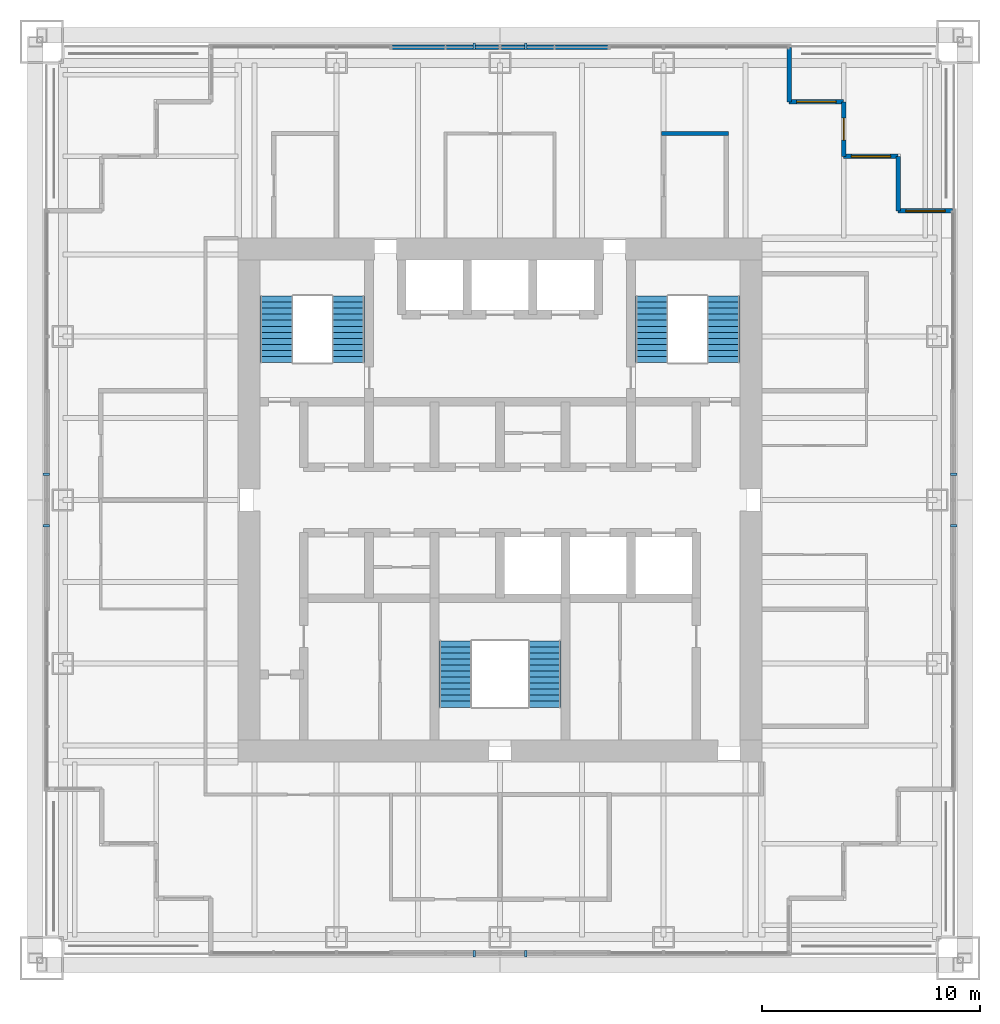
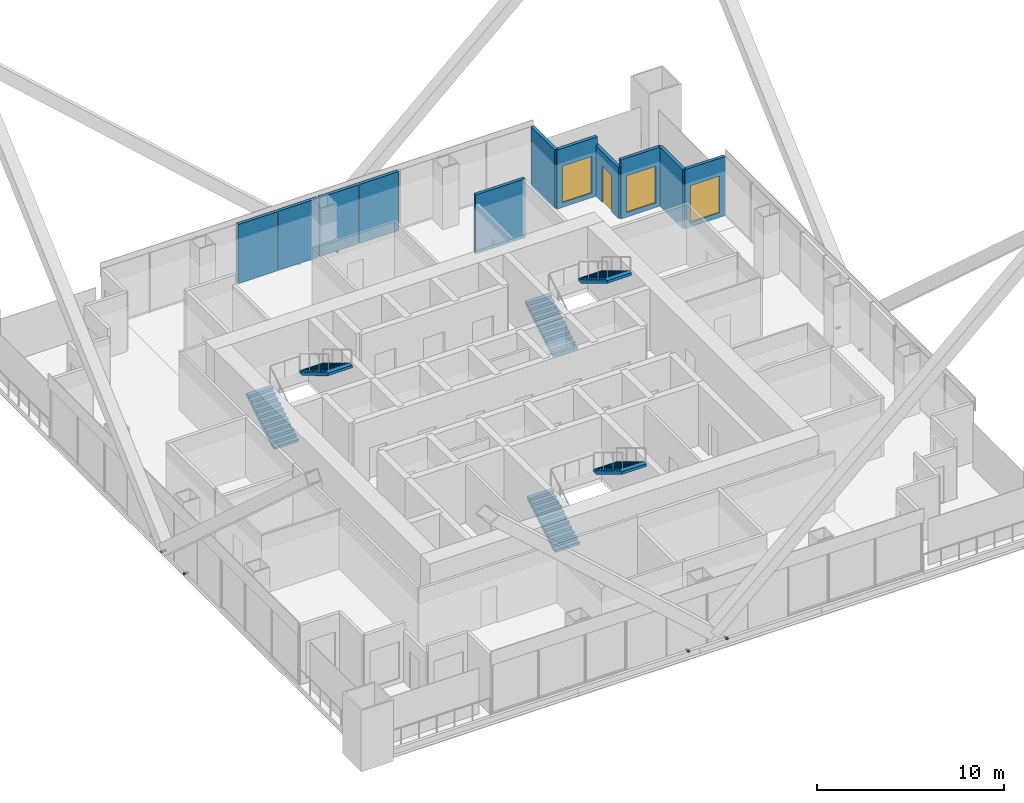
# One storey, part 15 of 17: 11 walls, 8 discrete accessories, 6 stair flights, 3 windows, 1 door, 4 openings, 3 elements without a shape of their own.
"""IFC4 building model written with IfcOpenShell, lengths in metres."""

from ifc_helpers import new_model, si_unit, direction, frame, frame_2d, origin, origin_2d, place, context, subcontext, project, spatial, polyline, rectangle, outline, extrude, material, layer, layer_set, type_object, element, fill, aggregate, save


model = new_model("IFC4")

# Units and contexts
model_context = context("Model", 3, precision=1e-05, world=origin(), true_north=direction((0.0, 1.0)))
body_context = subcontext(model_context, "Body", "Model", "MODEL_VIEW")
ifc_project = project(units=[si_unit("LENGTHUNIT", "METRE"), si_unit("AREAUNIT", "SQUARE_METRE"), si_unit("VOLUMEUNIT", "CUBIC_METRE"), si_unit("PLANEANGLEUNIT", "RADIAN"), si_unit("MASSUNIT", "GRAM", prefix="KILO")], contexts=[model_context])

# Site, building, storey
site_placement = place(None, origin())
site = spatial("IfcSite", under=ifc_project, at=site_placement, CompositionType="ELEMENT")
building_placement = place(site_placement, origin())
building = spatial("IfcBuilding", under=site, at=building_placement, Name="Tarangal Relay Tower", CompositionType="ELEMENT")
storey_placement = place(building_placement, frame((0.0, 0.0, 315.89990234375)))
storey = spatial("IfcBuildingStorey", under=building, at=storey_placement, Name="L70", CompositionType="ELEMENT", Elevation=315.89990234375)

# Walls
ifc_material_1 = material(Name="Two layers gypsum board each side on twin steel studs, mineral wool", Category="steel")
ifc_layer_1 = layer(ifc_material_1, 0.199951171875)
ifc_layer_set_1 = layer_set([ifc_layer_1], Name="Acoustic partition 200")
wall_type_1 = type_object("IfcWallType", Name="Acoustic partition 200", PredefinedType="PARTITIONING", material=ifc_layer_set_1)
wall_1_placement = place(storey_placement, frame((7.39990234375, 16.800048828125, 0.0), z_axis=(0.0, 0.0, 1.0), x_axis=(1.0, 0.0, 0.0)))
element("IfcWall", 1, at=wall_1_placement, inside=storey, type_object=wall_type_1, Name="Partition PT2 L70", PredefinedType="PARTITIONING", context=body_context, shape_type="SweptSolid", body=[
    extrude(rectangle(XDim=3.0751953125, YDim=0.199951171875, at=frame_2d((1.53759765625, 0.0))), origin(), (0.0, 0.0, 1.0), 3.85009765625),
])
ifc_material_2 = material(Name="Black metal clad insulated wall", Category="steel")
ifc_layer_2 = layer(ifc_material_2, 0.199951171875)
ifc_layer_set_2 = layer_set([ifc_layer_2], Name="Corner wall metal clad 200")
wall_type_2 = type_object("IfcWallType", Name="Corner wall metal clad 200", PredefinedType="SOLIDWALL", material=ifc_layer_set_2)
wall_2_placement = place(storey_placement, frame((13.25, 20.75, 0.0), z_axis=(0.0, 0.0, 1.0), x_axis=(0.0, -1.0, 0.0)))
element("IfcWall", 2, at=wall_2_placement, inside=storey, type_object=wall_type_2, Name="Facade wall N facade L70", PredefinedType="SOLIDWALL", context=body_context, shape_type="SweptSolid", body=[
    extrude(rectangle(XDim=2.5, YDim=0.199951171875, at=frame_2d((1.25, 0.0))), origin(), (0.0, 0.0, 1.0), 3.85009765625),
])

# Wall, opening, window
wall_3_placement = place(storey_placement, frame((13.25, 18.25, 0.0), z_axis=(0.0, 0.0, 1.0), x_axis=(1.0, 0.0, 0.0)))
wall_3 = element("IfcWall", 3, at=wall_3_placement, inside=storey, type_object=wall_type_2, Name="Facade wall N facade L70", PredefinedType="SOLIDWALL", context=body_context, shape_type="SweptSolid", body=[
    extrude(rectangle(XDim=2.5, YDim=0.199951171875, at=frame_2d((1.25, 0.0))), origin(), (0.0, 0.0, 1.0), 3.85009765625),
])
opening_1_placement = place(wall_3_placement, frame((0.35009765625, 0.0, 0.300048828125)))
opening_1 = element("IfcOpeningElement", 4, at=opening_1_placement, cuts=wall_3, Name="Opening WN2", PredefinedType="OPENING", context=body_context, shape_type="SweptSolid", body=[
    extrude(rectangle(XDim=1.800048828125, YDim=2.39990234375, at=frame_2d((0.89990234375, 1.199951171875))), frame((0.0, 0.10986328125, 0.0), z_axis=(0.0, -1.0, 0.0), x_axis=(1.0, 0.0, 0.0)), (0.0, 0.0, 1.0), 0.219970703125),
])
ifc_material_3 = material(Name="Dark tinted double glazing in black aluminium frame", Category="aluminium")
window_type = type_object("IfcWindowType", Name="Corner window 1800 x 2400", PartitioningType="SINGLE_PANEL", PredefinedType="WINDOW", material=ifc_material_3)
window_1_placement = place(opening_1_placement, origin())
window_1 = element("IfcWindow", 5, at=window_1_placement, inside=storey, type_object=window_type, Name="Corner window WN2 N facade L70", OverallHeight=2.39990234375, OverallWidth=1.800048828125, PartitioningType="SINGLE_PANEL", PredefinedType="WINDOW", context=body_context, shape_type="SweptSolid", body=[
    extrude(rectangle(XDim=1.800048828125, YDim=2.39990234375, at=frame_2d((0.89990234375, 1.199951171875))), frame((0.0, 0.030029296875, 0.0), z_axis=(0.0, -1.0, 0.0), x_axis=(1.0, 0.0, 0.0)), (0.0, 0.0, 1.0), 0.06005859375),
])
fill(opening_1, window_1)

# Wall, opening, door
wall_4_placement = place(storey_placement, frame((15.75, 18.25, 0.0), z_axis=(0.0, 0.0, 1.0), x_axis=(0.0, -1.0, 0.0)))
wall_4 = element("IfcWall", 6, at=wall_4_placement, inside=storey, type_object=wall_type_2, Name="Facade wall N facade L70", PredefinedType="SOLIDWALL", context=body_context, shape_type="SweptSolid", body=[
    extrude(rectangle(XDim=2.5, YDim=0.199951171875, at=frame_2d((1.25, 0.0))), origin(), (0.0, 0.0, 1.0), 3.316650390625),
])
opening_2_placement = place(wall_4_placement, frame((0.75, 0.0, 0.0)))
opening_2 = element("IfcOpeningElement", 7, at=opening_2_placement, cuts=wall_4, Name="Opening TD1", PredefinedType="OPENING", context=body_context, shape_type="SweptSolid", body=[
    extrude(rectangle(XDim=1.0, YDim=2.39990234375, at=frame_2d((0.5, 1.199951171875))), frame((0.0, 0.10986328125, 0.0), z_axis=(0.0, -1.0, 0.0), x_axis=(1.0, 0.0, 0.0)), (0.0, 0.0, 1.0), 0.219970703125),
])
ifc_material_4 = material(Name="Aluminium glazed door", Category="aluminium")
door_type = type_object("IfcDoorType", Name="Terrace door 1000 x 2400", OperationType="SINGLE_SWING_RIGHT", PredefinedType="DOOR", material=ifc_material_4)
door_placement = place(opening_2_placement, origin())
door = element("IfcDoor", 8, at=door_placement, inside=storey, type_object=door_type, Name="Terrace door TD1 NE L70", OperationType="SINGLE_SWING_RIGHT", OverallHeight=2.39990234375, OverallWidth=1.0, PredefinedType="DOOR", context=body_context, shape_type="SweptSolid", body=[
    extrude(rectangle(XDim=1.0, YDim=2.39990234375, at=frame_2d((0.5, 1.199951171875))), frame((0.0, 0.02490234375, 0.0), z_axis=(0.0, -1.0, 0.0), x_axis=(1.0, 0.0, 0.0)), (0.0, 0.0, 1.0), 0.050048828125),
])
fill(opening_2, door)

# Wall, opening, window
wall_5_placement = place(storey_placement, frame((15.75, 15.75, 0.0), z_axis=(0.0, 0.0, 1.0), x_axis=(1.0, 0.0, 0.0)))
wall_5 = element("IfcWall", 9, at=wall_5_placement, inside=storey, type_object=wall_type_2, Name="Facade wall N facade L70", PredefinedType="SOLIDWALL", context=body_context, shape_type="SweptSolid", body=[
    extrude(rectangle(XDim=2.5, YDim=0.199951171875, at=frame_2d((1.25, 0.0))), origin(), (0.0, 0.0, 1.0), 3.85009765625),
])
opening_3_placement = place(wall_5_placement, frame((0.35009765625, 0.0, 0.300048828125)))
opening_3 = element("IfcOpeningElement", 10, at=opening_3_placement, cuts=wall_5, Name="Opening WN2", PredefinedType="OPENING", context=body_context, shape_type="SweptSolid", body=[
    extrude(rectangle(XDim=1.800048828125, YDim=2.39990234375, at=frame_2d((0.89990234375, 1.199951171875))), frame((0.0, 0.10986328125, 0.0), z_axis=(0.0, -1.0, 0.0), x_axis=(1.0, 0.0, 0.0)), (0.0, 0.0, 1.0), 0.219970703125),
])
window_2_placement = place(opening_3_placement, origin())
window_2 = element("IfcWindow", 11, at=window_2_placement, inside=storey, type_object=window_type, Name="Corner window WN2 N facade L70", OverallHeight=2.39990234375, OverallWidth=1.800048828125, PartitioningType="SINGLE_PANEL", PredefinedType="WINDOW", context=body_context, shape_type="SweptSolid", body=[
    extrude(rectangle(XDim=1.800048828125, YDim=2.39990234375, at=frame_2d((0.89990234375, 1.199951171875))), frame((0.0, 0.030029296875, 0.0), z_axis=(0.0, -1.0, 0.0), x_axis=(1.0, 0.0, 0.0)), (0.0, 0.0, 1.0), 0.06005859375),
])
fill(opening_3, window_2)

# Wall
wall_6_placement = place(storey_placement, frame((18.25, 15.75, 0.0), z_axis=(0.0, 0.0, 1.0), x_axis=(0.0, -1.0, 0.0)))
element("IfcWall", 12, at=wall_6_placement, inside=storey, type_object=wall_type_2, Name="Facade wall N facade L70", PredefinedType="SOLIDWALL", context=body_context, shape_type="SweptSolid", body=[
    extrude(rectangle(XDim=2.5, YDim=0.199951171875, at=frame_2d((1.25, 0.0))), origin(), (0.0, 0.0, 1.0), 3.85009765625),
])

# Wall, opening, window
wall_7_placement = place(storey_placement, frame((18.25, 13.25, 0.0), z_axis=(0.0, 0.0, 1.0), x_axis=(1.0, 0.0, 0.0)))
wall_7 = element("IfcWall", 13, at=wall_7_placement, inside=storey, type_object=wall_type_2, Name="Facade wall N facade L70", PredefinedType="SOLIDWALL", context=body_context, shape_type="SweptSolid", body=[
    extrude(rectangle(XDim=2.5, YDim=0.199951171875, at=frame_2d((1.25, 0.0))), origin(), (0.0, 0.0, 1.0), 3.85009765625),
])
opening_4_placement = place(wall_7_placement, frame((0.35009765625, 0.0, 0.300048828125)))
opening_4 = element("IfcOpeningElement", 14, at=opening_4_placement, cuts=wall_7, Name="Opening WN2", PredefinedType="OPENING", context=body_context, shape_type="SweptSolid", body=[
    extrude(rectangle(XDim=1.800048828125, YDim=2.39990234375, at=frame_2d((0.89990234375, 1.199951171875))), frame((0.0, 0.10986328125, 0.0), z_axis=(0.0, -1.0, 0.0), x_axis=(1.0, 0.0, 0.0)), (0.0, 0.0, 1.0), 0.219970703125),
])
window_3_placement = place(opening_4_placement, origin())
window_3 = element("IfcWindow", 15, at=window_3_placement, inside=storey, type_object=window_type, Name="Corner window WN2 N facade L70", OverallHeight=2.39990234375, OverallWidth=1.800048828125, PartitioningType="SINGLE_PANEL", PredefinedType="WINDOW", context=body_context, shape_type="SweptSolid", body=[
    extrude(rectangle(XDim=1.800048828125, YDim=2.39990234375, at=frame_2d((0.89990234375, 1.199951171875))), frame((0.0, 0.030029296875, 0.0), z_axis=(0.0, -1.0, 0.0), x_axis=(1.0, 0.0, 0.0)), (0.0, 0.0, 1.0), 0.06005859375),
])
fill(opening_4, window_3)

# Walls
ifc_layer_3 = layer(ifc_material_2, 0.199951171875)
ifc_layer_set_3 = layer_set([ifc_layer_3], Name="Facade infill wall metal clad 200")
wall_type_3 = type_object("IfcWallType", Name="Facade infill wall metal clad 200", PredefinedType="SOLIDWALL", material=ifc_layer_set_3)
for number, where, z_axis, x_axis, name in (
    (16, (-4.93994140625, 20.75, 0.0), (0.0, 0.0, 1.0), (1.0, 0.0, 0.0), "Facade infill wall N facade L70 1.1"),
    (17, (-2.469970703125, 20.75, 0.0), (0.0, 0.0, 1.0), (1.0, 0.0, 0.0), "Facade infill wall N facade L70 2.1"),
    (18, (0.06005859375, 20.75, 0.0), (0.0, 0.0, 1.0), (1.0, 0.0, 0.0), "Facade infill wall N facade L70 1.1"),
    (19, (2.530029296875, 20.75, 0.0), (0.0, 0.0, 1.0), (1.0, 0.0, 0.0), "Facade infill wall N facade L70 2.1"),
):
    element("IfcWall", number, at=place(storey_placement, frame(where, z_axis=z_axis, x_axis=x_axis)), inside=storey, type_object=wall_type_3, Name=name, PredefinedType="SOLIDWALL", context=body_context, shape_type="SweptSolid", body=[
        extrude(rectangle(XDim=2.409912109375, YDim=0.199951171875, at=frame_2d((1.205078125, 0.0))), origin(), (0.0, 0.0, 1.0), 3.85009765625),
    ])

# Stair, stair flights
ifc_material_5 = material(Name="Steel ASTM A992 stair flight", Category="steel")
stair_type = type_object("IfcStairType", Name="Core stair 1500", PredefinedType="HALF_TURN_STAIR", material=ifc_material_5)
stair_1_placement = place(storey_placement, origin())
stair_1 = element("IfcStair", 20, at=stair_1_placement, inside=storey, type_object=stair_type, Name="Stair ST-A L70", PredefinedType="HALF_TURN_STAIR")
stair_flight_type = type_object("IfcStairFlightType", Name="Steel stair flight 1500, 12 risers 167 x 277", PredefinedType="STRAIGHT", material=ifc_material_5)
stair_flight_1_placement = place(storey_placement, frame((-10.25, 6.300048828125, 0.0), z_axis=(0.0, 0.0, 1.0), x_axis=(0.0, 1.0, 0.0)))
stair_flight_1 = element("IfcStairFlight", 21, at=stair_flight_1_placement, type_object=stair_flight_type, Name="ST-A flight 1", NumberOfRisers=12, NumberOfTreads=11, PredefinedType="STRAIGHT", RiserHeight=0.166666667, TreadLength=0.277, context=body_context, shape_type="SweptSolid", body=[
    extrude(outline(polyline([(0.0, 0.0), (0.0, 0.166748046875), (0.277099609375, 0.166748046875), (0.277099609375, 0.333251953125), (0.553955078125, 0.333251953125), (0.553955078125, 0.5), (0.8310546875, 0.5), (0.8310546875, 0.666748046875), (1.10791015625, 0.666748046875), (1.10791015625, 0.833251953125), (1.385009765625, 0.833251953125), (1.385009765625, 1.0), (1.662109375, 1.0), (1.662109375, 1.166748046875), (1.93896484375, 1.166748046875), (1.93896484375, 1.333251953125), (2.216064453125, 1.333251953125), (2.216064453125, 1.5), (2.492919921875, 1.5), (2.492919921875, 1.666748046875), (2.77001953125, 1.666748046875), (2.77001953125, 1.833251953125), (3.047119140625, 1.833251953125), (3.047119140625, 2.0), (3.047119140625, 1.658447265625), (0.290771484375, 0.0), (0.0, 0.0)])), frame((0.0, 0.75, 0.0), z_axis=(0.0, -1.0, 0.0), x_axis=(1.0, 0.0, 0.0)), (0.0, 0.0, 1.0), 1.5),
])
stair_flight_2_placement = place(storey_placement, frame((-6.949951171875, 9.346923828125, 2.0), z_axis=(0.0, 0.0, 1.0), x_axis=(0.0, -1.0, 0.0)))
stair_flight_2 = element("IfcStairFlight", 22, at=stair_flight_2_placement, type_object=stair_flight_type, Name="ST-A flight 2", NumberOfRisers=12, NumberOfTreads=11, PredefinedType="STRAIGHT", RiserHeight=0.166666667, TreadLength=0.277, context=body_context, shape_type="SweptSolid", body=[
    extrude(outline(polyline([(0.0, 0.0), (0.0, 0.166748046875), (0.277099609375, 0.166748046875), (0.277099609375, 0.333251953125), (0.553955078125, 0.333251953125), (0.553955078125, 0.5), (0.8310546875, 0.5), (0.8310546875, 0.666748046875), (1.10791015625, 0.666748046875), (1.10791015625, 0.833251953125), (1.385009765625, 0.833251953125), (1.385009765625, 1.0), (1.662109375, 1.0), (1.662109375, 1.166748046875), (1.93896484375, 1.166748046875), (1.93896484375, 1.333251953125), (2.216064453125, 1.333251953125), (2.216064453125, 1.5), (2.492919921875, 1.5), (2.492919921875, 1.666748046875), (2.77001953125, 1.666748046875), (2.77001953125, 1.833251953125), (3.047119140625, 1.833251953125), (3.047119140625, 2.0), (3.047119140625, 1.658447265625), (0.290771484375, 0.0), (0.0, 0.0)])), frame((0.0, 0.75, 0.0), z_axis=(0.0, -1.0, 0.0), x_axis=(1.0, 0.0, 0.0)), (0.0, 0.0, 1.0), 1.5),
])
aggregate(stair_1, [stair_flight_1, stair_flight_2])

stair_2_placement = place(storey_placement, origin())
stair_2 = element("IfcStair", 23, at=stair_2_placement, inside=storey, type_object=stair_type, Name="Stair ST-B L70", PredefinedType="HALF_TURN_STAIR")
stair_flight_3_placement = place(storey_placement, frame((6.949951171875, 6.300048828125, 0.0), z_axis=(0.0, 0.0, 1.0), x_axis=(0.0, 1.0, 0.0)))
stair_flight_3 = element("IfcStairFlight", 24, at=stair_flight_3_placement, type_object=stair_flight_type, Name="ST-B flight 1", NumberOfRisers=12, NumberOfTreads=11, PredefinedType="STRAIGHT", RiserHeight=0.166666667, TreadLength=0.277, context=body_context, shape_type="SweptSolid", body=[
    extrude(outline(polyline([(0.0, 0.0), (0.0, 0.166748046875), (0.277099609375, 0.166748046875), (0.277099609375, 0.333251953125), (0.553955078125, 0.333251953125), (0.553955078125, 0.5), (0.8310546875, 0.5), (0.8310546875, 0.666748046875), (1.10791015625, 0.666748046875), (1.10791015625, 0.833251953125), (1.385009765625, 0.833251953125), (1.385009765625, 1.0), (1.662109375, 1.0), (1.662109375, 1.166748046875), (1.93896484375, 1.166748046875), (1.93896484375, 1.333251953125), (2.216064453125, 1.333251953125), (2.216064453125, 1.5), (2.492919921875, 1.5), (2.492919921875, 1.666748046875), (2.77001953125, 1.666748046875), (2.77001953125, 1.833251953125), (3.047119140625, 1.833251953125), (3.047119140625, 2.0), (3.047119140625, 1.658447265625), (0.290771484375, 0.0), (0.0, 0.0)])), frame((0.0, 0.75, 0.0), z_axis=(0.0, -1.0, 0.0), x_axis=(1.0, 0.0, 0.0)), (0.0, 0.0, 1.0), 1.5),
])
stair_flight_4_placement = place(storey_placement, frame((10.25, 9.346923828125, 2.0), z_axis=(0.0, 0.0, 1.0), x_axis=(0.0, -1.0, 0.0)))
stair_flight_4 = element("IfcStairFlight", 25, at=stair_flight_4_placement, type_object=stair_flight_type, Name="ST-B flight 2", NumberOfRisers=12, NumberOfTreads=11, PredefinedType="STRAIGHT", RiserHeight=0.166666667, TreadLength=0.277, context=body_context, shape_type="SweptSolid", body=[
    extrude(outline(polyline([(0.0, 0.0), (0.0, 0.166748046875), (0.277099609375, 0.166748046875), (0.277099609375, 0.333251953125), (0.553955078125, 0.333251953125), (0.553955078125, 0.5), (0.8310546875, 0.5), (0.8310546875, 0.666748046875), (1.10791015625, 0.666748046875), (1.10791015625, 0.833251953125), (1.385009765625, 0.833251953125), (1.385009765625, 1.0), (1.662109375, 1.0), (1.662109375, 1.166748046875), (1.93896484375, 1.166748046875), (1.93896484375, 1.333251953125), (2.216064453125, 1.333251953125), (2.216064453125, 1.5), (2.492919921875, 1.5), (2.492919921875, 1.666748046875), (2.77001953125, 1.666748046875), (2.77001953125, 1.833251953125), (3.047119140625, 1.833251953125), (3.047119140625, 2.0), (3.047119140625, 1.658447265625), (0.290771484375, 0.0), (0.0, 0.0)])), frame((0.0, 0.75, 0.0), z_axis=(0.0, -1.0, 0.0), x_axis=(1.0, 0.0, 0.0)), (0.0, 0.0, 1.0), 1.5),
])
aggregate(stair_2, [stair_flight_3, stair_flight_4])

stair_3_placement = place(storey_placement, origin())
stair_3 = element("IfcStair", 26, at=stair_3_placement, inside=storey, type_object=stair_type, Name="Stair ST-C L70", PredefinedType="HALF_TURN_STAIR")
stair_flight_5_placement = place(storey_placement, frame((-2.050048828125, -9.5, 0.0), z_axis=(0.0, 0.0, 1.0), x_axis=(0.0, 1.0, 0.0)))
stair_flight_5 = element("IfcStairFlight", 27, at=stair_flight_5_placement, type_object=stair_flight_type, Name="ST-C flight 1", NumberOfRisers=12, NumberOfTreads=11, PredefinedType="STRAIGHT", RiserHeight=0.166666667, TreadLength=0.277, context=body_context, shape_type="SweptSolid", body=[
    extrude(outline(polyline([(0.0, 0.0), (0.0, 0.166748046875), (0.277099609375, 0.166748046875), (0.277099609375, 0.333251953125), (0.553955078125, 0.333251953125), (0.553955078125, 0.5), (0.8310546875, 0.5), (0.8310546875, 0.666748046875), (1.10791015625, 0.666748046875), (1.10791015625, 0.833251953125), (1.385009765625, 0.833251953125), (1.385009765625, 1.0), (1.662109375, 1.0), (1.662109375, 1.166748046875), (1.93896484375, 1.166748046875), (1.93896484375, 1.333251953125), (2.216064453125, 1.333251953125), (2.216064453125, 1.5), (2.492919921875, 1.5), (2.492919921875, 1.666748046875), (2.77001953125, 1.666748046875), (2.77001953125, 1.833251953125), (3.047119140625, 1.833251953125), (3.047119140625, 2.0), (3.047119140625, 1.658447265625), (0.290771484375, 0.0), (0.0, 0.0)])), frame((0.0, 0.75, 0.0), z_axis=(0.0, -1.0, 0.0), x_axis=(1.0, 0.0, 0.0)), (0.0, 0.0, 1.0), 1.5),
])
stair_flight_6_placement = place(storey_placement, frame((2.050048828125, -6.452880859375, 2.0), z_axis=(0.0, 0.0, 1.0), x_axis=(0.0, -1.0, 0.0)))
stair_flight_6 = element("IfcStairFlight", 28, at=stair_flight_6_placement, type_object=stair_flight_type, Name="ST-C flight 2", NumberOfRisers=12, NumberOfTreads=11, PredefinedType="STRAIGHT", RiserHeight=0.166666667, TreadLength=0.277, context=body_context, shape_type="SweptSolid", body=[
    extrude(outline(polyline([(0.0, 0.0), (0.0, 0.166748046875), (0.277099609375, 0.166748046875), (0.277099609375, 0.333251953125), (0.553955078125, 0.333251953125), (0.553955078125, 0.5), (0.8310546875, 0.5), (0.8310546875, 0.666748046875), (1.10791015625, 0.666748046875), (1.10791015625, 0.833251953125), (1.385009765625, 0.833251953125), (1.385009765625, 1.0), (1.662109375, 1.0), (1.662109375, 1.166748046875), (1.93896484375, 1.166748046875), (1.93896484375, 1.333251953125), (2.216064453125, 1.333251953125), (2.216064453125, 1.5), (2.492919921875, 1.5), (2.492919921875, 1.666748046875), (2.77001953125, 1.666748046875), (2.77001953125, 1.833251953125), (3.047119140625, 1.833251953125), (3.047119140625, 2.0), (3.047119140625, 1.658447265625), (0.290771484375, 0.0), (0.0, 0.0)])), frame((0.0, 0.75, 0.0), z_axis=(0.0, -1.0, 0.0), x_axis=(1.0, 0.0, 0.0)), (0.0, 0.0, 1.0), 1.5),
])
aggregate(stair_3, [stair_flight_5, stair_flight_6])

# Discrete accessories
ifc_material_6 = material(Name="Steel ASTM A572 Grade 50", Category="steel")
discrete_accessory_type = type_object("IfcDiscreteAccessoryType", Name="Brace crossing restraint BRT4", PredefinedType="BRACKET", material=ifc_material_6)
for number, where, z_axis, x_axis, name in (
    (29, (-1.188232421875, 20.800048828125, -0.1298828125), (0.0, 0.0, 1.0), (1.0, 0.0, 0.0), "Brace crossing restraint BRT4 N L70"),
    (30, (1.188232421875, 20.800048828125, -0.1298828125), (0.0, 0.0, 1.0), (1.0, 0.0, 0.0), "Brace crossing restraint BRT4 N L70"),
):
    element("IfcDiscreteAccessory", number, at=place(storey_placement, frame(where, z_axis=z_axis, x_axis=x_axis)), inside=storey, type_object=discrete_accessory_type, Name=name, PredefinedType="BRACKET", context=body_context, shape_type="SweptSolid", body=[
        extrude(rectangle(XDim=0.1201171875, YDim=0.300048828125, at=origin_2d()), origin(), (0.0, 0.0, 1.0), 0.110107421875),
    ])
for number, where, z_axis, x_axis, name in (
    (31, (20.800048828125, 1.188232421875, -0.1298828125), (0.0, 0.0, 1.0), (1.0, 0.0, 0.0), "Brace crossing restraint BRT4 E L70"),
    (32, (20.800048828125, -1.188232421875, -0.1298828125), (0.0, 0.0, 1.0), (1.0, 0.0, 0.0), "Brace crossing restraint BRT4 E L70"),
):
    element("IfcDiscreteAccessory", number, at=place(storey_placement, frame(where, z_axis=z_axis, x_axis=x_axis)), inside=storey, type_object=discrete_accessory_type, Name=name, PredefinedType="BRACKET", context=body_context, shape_type="SweptSolid", body=[
        extrude(rectangle(XDim=0.300048828125, YDim=0.1201171875, at=origin_2d()), origin(), (0.0, 0.0, 1.0), 0.110107421875),
    ])
for number, where, z_axis, x_axis, name in (
    (33, (1.188232421875, -20.800048828125, -0.1298828125), (0.0, 0.0, 1.0), (1.0, 0.0, 0.0), "Brace crossing restraint BRT4 S L70"),
    (34, (-1.188232421875, -20.800048828125, -0.1298828125), (0.0, 0.0, 1.0), (1.0, 0.0, 0.0), "Brace crossing restraint BRT4 S L70"),
):
    element("IfcDiscreteAccessory", number, at=place(storey_placement, frame(where, z_axis=z_axis, x_axis=x_axis)), inside=storey, type_object=discrete_accessory_type, Name=name, PredefinedType="BRACKET", context=body_context, shape_type="SweptSolid", body=[
        extrude(rectangle(XDim=0.1201171875, YDim=0.300048828125, at=origin_2d()), origin(), (0.0, 0.0, 1.0), 0.110107421875),
    ])
for number, where, z_axis, x_axis, name in (
    (35, (-20.800048828125, -1.188232421875, -0.1298828125), (0.0, 0.0, 1.0), (1.0, 0.0, 0.0), "Brace crossing restraint BRT4 W L70"),
    (36, (-20.800048828125, 1.188232421875, -0.1298828125), (0.0, 0.0, 1.0), (1.0, 0.0, 0.0), "Brace crossing restraint BRT4 W L70"),
):
    element("IfcDiscreteAccessory", number, at=place(storey_placement, frame(where, z_axis=z_axis, x_axis=x_axis)), inside=storey, type_object=discrete_accessory_type, Name=name, PredefinedType="BRACKET", context=body_context, shape_type="SweptSolid", body=[
        extrude(rectangle(XDim=0.300048828125, YDim=0.1201171875, at=origin_2d()), origin(), (0.0, 0.0, 1.0), 0.110107421875),
    ])

save(model, "model.ifc")
